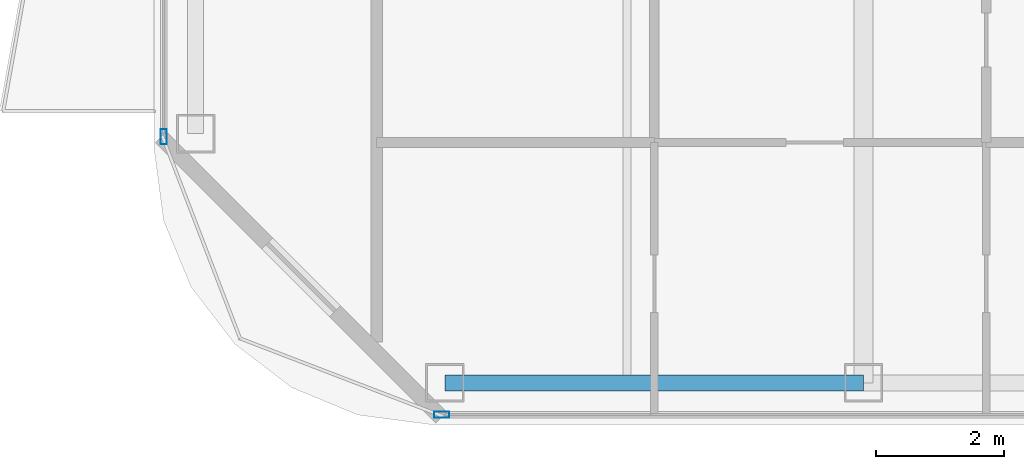
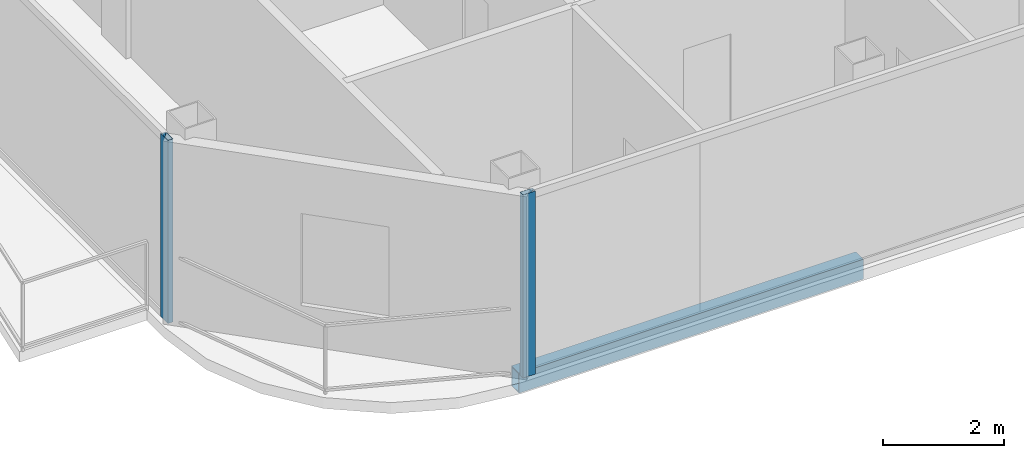
# One storey, part 2 of 26: 2 members, 1 beam, 2 elements without a shape of their own.
"""IFC4 building model written with IfcOpenShell, lengths in metres."""

from ifc_helpers import new_model, si_unit, direction, frame, origin, origin_2d, place, context, subcontext, project, spatial, hollow_rectangle, extrude, material, layer, layer_set, material_profile, profile_set, type_object, element, aggregate, save


model = new_model("IFC4")

# Units and contexts
model_context = context("Model", 3, precision=1e-05, world=origin(), true_north=direction((0.0, 1.0)))
body_context = subcontext(model_context, "Body", "Model", "MODEL_VIEW")
ifc_project = project(units=[si_unit("LENGTHUNIT", "METRE"), si_unit("AREAUNIT", "SQUARE_METRE"), si_unit("VOLUMEUNIT", "CUBIC_METRE"), si_unit("PLANEANGLEUNIT", "RADIAN"), si_unit("MASSUNIT", "GRAM", prefix="KILO")], contexts=[model_context])

# Site, building, storey
site_placement = place(None, origin())
site = spatial("IfcSite", under=ifc_project, at=site_placement, CompositionType="ELEMENT")
building_placement = place(site_placement, origin())
building = spatial("IfcBuilding", under=site, at=building_placement, Name="Khorvyn Point Tower", CompositionType="ELEMENT")
storey_placement = place(building_placement, frame((0.0, 0.0, 223.5)))
storey = spatial("IfcBuildingStorey", under=building, at=storey_placement, Name="L55", CompositionType="ELEMENT", Elevation=223.5)

# Curtain wall, member
ifc_material_1 = material(Name="Anodised aluminium 6063-T6 and laminated Low-E glass", Category="aluminium")
ifc_layer = layer(ifc_material_1, 0.18994140625)
ifc_layer_set = layer_set([ifc_layer], Name="Stick-Built Acoustic Curtain Wall CW-SYS-03")
curtain_wall_type = type_object("IfcCurtainWallType", Name="Stick-Built Acoustic Curtain Wall CW-SYS-03", PredefinedType="NOTDEFINED", material=ifc_layer_set)
curtain_wall_1_placement = place(storey_placement, origin())
curtain_wall_1 = element("IfcCurtainWall", 1, at=curtain_wall_1_placement, inside=storey, type_object=curtain_wall_type, Name="Curtain Wall", PredefinedType="NOTDEFINED")
ifc_material_2 = material(Name="Anodised aluminium 6063-T6", Category="aluminium")
ifc_material_profile_1 = material_profile(ifc_material_2, hollow_rectangle(XDim=0.10009765625, YDim=0.239990234375, WallThickness=0.0048828125, at=origin_2d()))
ifc_profile_set_1 = profile_set([ifc_material_profile_1], Name="Anodised aluminium 6063-T6 ALU-MUL-100x240")
member_type = type_object("IfcMemberType", Name="Anodised Aluminium 6063-T6 Mullion ALU-MUL-100x240", PredefinedType="MULLION", material=ifc_profile_set_1)
member_1_placement = place(storey_placement, frame((-14.0, -28.64990234375, 0.0), z_axis=(0.0, 0.0, 1.0), x_axis=(0.0, -1.0, 0.0)))
member_1 = element("IfcMember", 2, at=member_1_placement, type_object=member_type, Name="Transom", PredefinedType="MULLION", context=body_context, shape_type="SweptSolid", body=[
    extrude(hollow_rectangle(XDim=0.10009765625, YDim=0.239990234375, WallThickness=0.0048828125, at=origin_2d()), origin(), (0.0, 0.0, 1.0), 3.679931640625),
])
aggregate(curtain_wall_1, [member_1])

curtain_wall_2_placement = place(storey_placement, origin())
curtain_wall_2 = element("IfcCurtainWall", 3, at=curtain_wall_2_placement, inside=storey, type_object=curtain_wall_type, Name="Curtain Wall", PredefinedType="NOTDEFINED")
member_2_placement = place(storey_placement, frame((-18.35009765625, -24.300048828125, 0.0), z_axis=(0.0, 0.0, 1.0), x_axis=(-1.0, 0.0, 0.0)))
member_2 = element("IfcMember", 4, at=member_2_placement, type_object=member_type, Name="Transom", PredefinedType="MULLION", context=body_context, shape_type="SweptSolid", body=[
    extrude(hollow_rectangle(XDim=0.10009765625, YDim=0.239990234375, WallThickness=0.0048828125, at=origin_2d()), origin(), (0.0, 0.0, 1.0), 3.679931640625),
])
aggregate(curtain_wall_2, [member_2])

# Beam
ifc_material_3 = material(Name="Steel S355", Category="steel")
ifc_material_profile_2 = material_profile(ifc_material_3, hollow_rectangle(XDim=0.25, YDim=0.39990234375, WallThickness=0.01611328125, at=origin_2d()))
ifc_profile_set_2 = profile_set([ifc_material_profile_2], Name="Steel S355 RHS400x250x16")
beam_type = type_object("IfcBeamType", Name="Steel S355 Spandrel RHS400x250x16", PredefinedType="SPANDREL", material=ifc_profile_set_2)
beam_placement = place(storey_placement, frame((-13.949951171875, -28.14990234375, -0.419921875), z_axis=(1.0, 0.0, 0.0), x_axis=(0.0, 1.0, 0.0)))
element("IfcBeam", 5, at=beam_placement, inside=storey, type_object=beam_type, Name="Beam", PredefinedType="SPANDREL", context=body_context, shape_type="SweptSolid", body=[
    extrude(hollow_rectangle(XDim=0.25, YDim=0.39990234375, WallThickness=0.01611328125, at=origin_2d()), origin(), (0.0, 0.0, 1.0), 6.550048828125),
])

save(model, "model.ifc")
